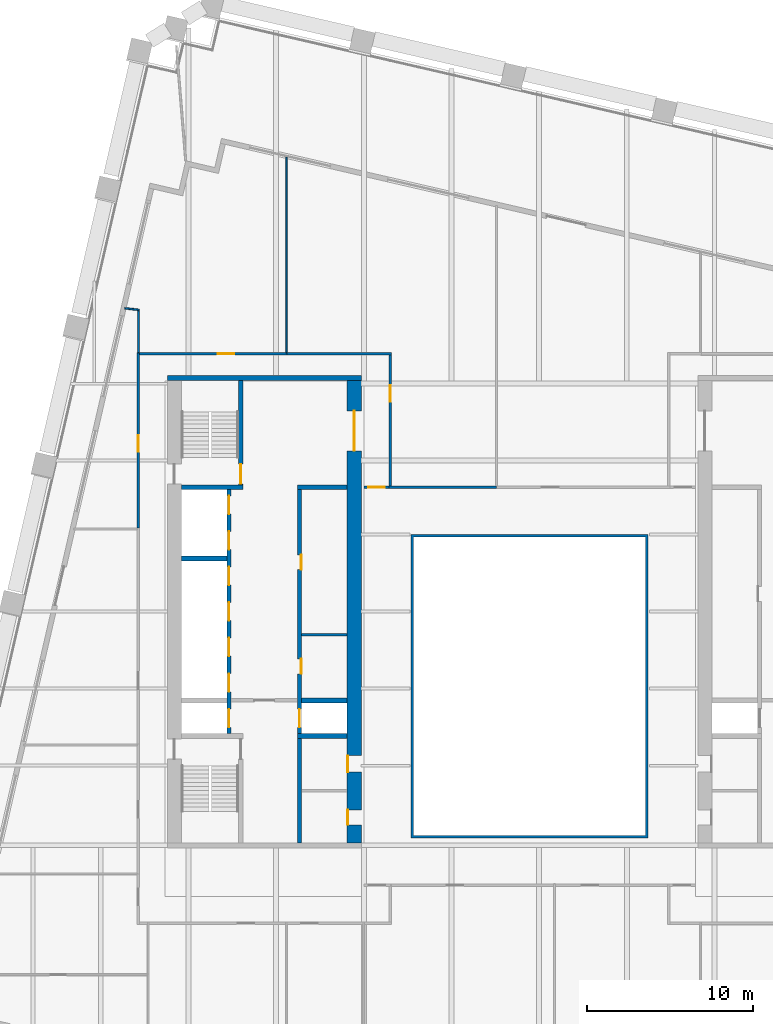
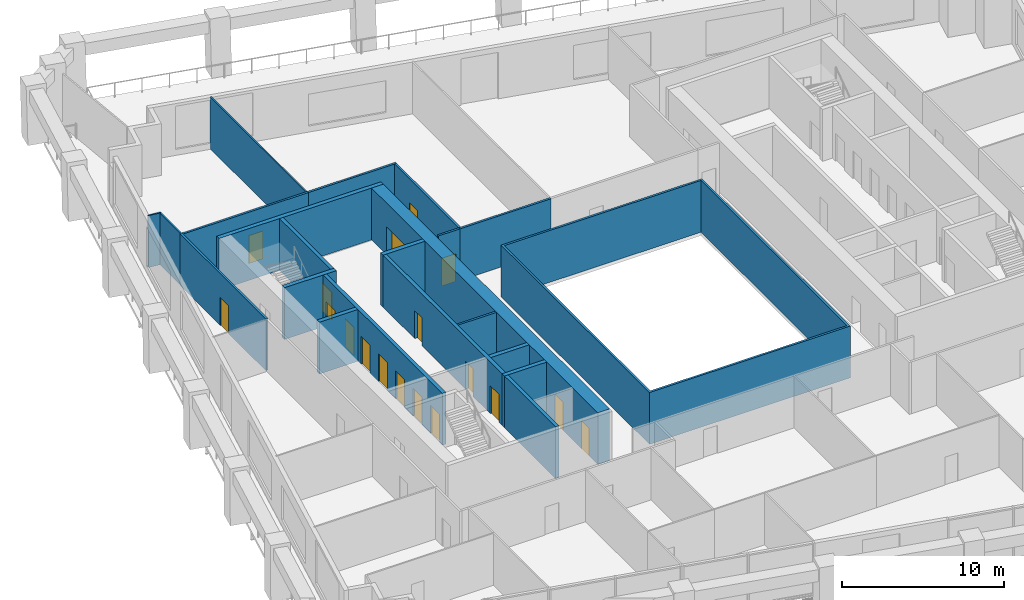
# One storey, part 8 of 12: 21 walls, 18 doors, 18 openings.
"""IFC4 building model written with IfcOpenShell, lengths in metres."""

from ifc_helpers import new_model, si_unit, direction, frame, frame_2d, origin, place, context, subcontext, project, spatial, polyline, rectangle, outline, extrude, material, layer, layer_set, type_object, element, fill, save


model = new_model("IFC4")

# Units and contexts
model_context = context("Model", 3, precision=1e-05, world=origin(), true_north=direction((0.0, 1.0)))
body_context = subcontext(model_context, "Body", "Model", "MODEL_VIEW")
ifc_project = project(units=[si_unit("LENGTHUNIT", "METRE"), si_unit("AREAUNIT", "SQUARE_METRE"), si_unit("VOLUMEUNIT", "CUBIC_METRE"), si_unit("PLANEANGLEUNIT", "RADIAN"), si_unit("MASSUNIT", "GRAM", prefix="KILO")], contexts=[model_context])

# Site, building, storey
site_placement = place(None, origin())
site = spatial("IfcSite", under=ifc_project, at=site_placement, CompositionType="ELEMENT")
building_placement = place(site_placement, origin())
building = spatial("IfcBuilding", under=site, at=building_placement, Name="Ogive Exchange Tower", CompositionType="ELEMENT")
storey_placement = place(building_placement, frame((0.0, 0.0, 156.0)))
storey = spatial("IfcBuildingStorey", under=building, at=storey_placement, Name="L34", CompositionType="ELEMENT", Elevation=156.0)

# Walls
ifc_material_1 = material(Name="Gypsum board partition")
ifc_layer_1 = layer(ifc_material_1, 0.14990234375)
ifc_layer_set_1 = layer_set([ifc_layer_1], Name="Core room partition 150 gypsum")
wall_type_1 = type_object("IfcWallType", Name="Core room partition 150 gypsum", PredefinedType="PARTITIONING", material=ifc_layer_set_1)
wall_1_placement = place(storey_placement, frame((-13.75, 10.10009765625, 0.0), z_axis=(0.0, 0.0, 1.0), x_axis=(1.0, 0.0, 0.0)))
element("IfcWall", 1, at=wall_1_placement, inside=storey, type_object=wall_type_1, Name="W row B bay partition 1-1", PredefinedType="PARTITIONING", context=body_context, shape_type="SweptSolid", body=[
    extrude(rectangle(XDim=2.75, YDim=0.14990234375, at=frame_2d((1.375, 0.0))), origin(), (0.0, 0.0, 1.0), 3.89990234375),
])
ifc_layer_2 = layer(ifc_material_1, 0.300048828125)
ifc_layer_set_2 = layer_set([ifc_layer_2], Name="Core room partition 300 gypsum")
wall_type_2 = type_object("IfcWallType", Name="Core room partition 300 gypsum", PredefinedType="PARTITIONING", material=ifc_layer_set_2)
wall_2_placement = place(storey_placement, frame((-14.0, 19.0, 0.0), z_axis=(0.0, 0.0, 1.0), x_axis=(1.0, 0.0, 0.0)))
element("IfcWall", 2, at=wall_2_placement, inside=storey, type_object=wall_type_2, Name="W row B room end wall 7", PredefinedType="PARTITIONING", context=body_context, shape_type="SweptSolid", body=[
    extrude(rectangle(XDim=3.0, YDim=0.300048828125, at=frame_2d((1.5, 0.0))), origin(), (0.0, 0.0, 1.0), 3.89990234375),
])

# Wall, opening, door
ifc_material_2 = material(Name="Fire partition EI 60 150")
ifc_layer_3 = layer(ifc_material_2, 0.14990234375)
ifc_layer_set_3 = layer_set([ifc_layer_3], Name="Fire partition EI 60 150")
wall_type_3 = type_object("IfcWallType", Name="Fire partition EI 60 150", PredefinedType="PARTITIONING", material=ifc_layer_set_3)
wall_3_placement = place(storey_placement, frame((-23.60009765625, 16.530029296875, 0.0), z_axis=(0.0, 0.0, 1.0), x_axis=(0.0, 1.0, 0.0)))
wall_3 = element("IfcWall", 3, at=wall_3_placement, inside=storey, type_object=wall_type_3, Name="L34-PWL-009", PredefinedType="PARTITIONING", context=body_context, shape_type="SweptSolid", body=[
    extrude(rectangle(XDim=10.594970703125, YDim=0.14990234375, at=frame_2d((5.29736328125, 0.0))), origin(), (0.0, 0.0, 1.0), 3.89990234375),
])
opening_1_placement = place(wall_3_placement, frame((4.6201171875, 0.0, 0.0)))
opening_1 = element("IfcOpeningElement", 4, at=opening_1_placement, cuts=wall_3, Name="Opening L34-I16", PredefinedType="OPENING", context=body_context, shape_type="SweptSolid", body=[
    extrude(rectangle(XDim=1.0, YDim=2.10009765625, at=frame_2d((0.5, 1.050048828125))), frame((0.0, 0.0849609375, 0.0), z_axis=(0.0, -1.0, 0.0), x_axis=(1.0, 0.0, 0.0)), (0.0, 0.0, 1.0), 0.169921875),
])
ifc_material_3 = material(Name="Fire door FD 30S 1000 x 2100")
door_type_1 = type_object("IfcDoorType", Name="Fire door FD 30S 1000 x 2100", OperationType="NOTDEFINED", PredefinedType="DOOR", material=ifc_material_3)
door_1_placement = place(opening_1_placement, origin())
door_1 = element("IfcDoor", 5, at=door_1_placement, inside=storey, type_object=door_type_1, Name="L34-IDR-016", ObjectType="DT3", OperationType="SINGLE_SWING_LEFT", OverallHeight=2.10009765625, OverallWidth=1.0, PredefinedType="DOOR", context=body_context, shape_type="SweptSolid", body=[
    extrude(rectangle(XDim=1.0, YDim=2.10009765625, at=frame_2d((0.5, 1.050048828125))), frame((0.0, 0.02490234375, 0.0), z_axis=(0.0, -1.0, 0.0), x_axis=(1.0, 0.0, 0.0)), (0.0, 0.0, 1.0), 0.050048828125),
])
fill(opening_1, door_1)

wall_4_placement = place(storey_placement, frame((-23.514892578125, 27.050048828125, 0.0), z_axis=(0.0, 0.0, 1.0), x_axis=(1.0, 0.0, 0.0)))
wall_4 = element("IfcWall", 6, at=wall_4_placement, inside=storey, type_object=wall_type_3, Name="L34-PWL-011", PredefinedType="PARTITIONING", context=body_context, shape_type="SweptSolid", body=[
    extrude(rectangle(XDim=8.894775390625, YDim=0.14990234375, at=frame_2d((4.447265625, 0.0))), origin(), (0.0, 0.0, 1.0), 3.89990234375),
])
opening_2_placement = place(wall_4_placement, frame((4.695068359375, 0.0, 0.0)))
opening_2 = element("IfcOpeningElement", 7, at=opening_2_placement, cuts=wall_4, Name="Opening L34-I15", PredefinedType="OPENING", context=body_context, shape_type="SweptSolid", body=[
    extrude(rectangle(XDim=1.0, YDim=2.10009765625, at=frame_2d((0.5, 1.050048828125))), frame((0.0, 0.0849609375, 0.0), z_axis=(0.0, -1.0, 0.0), x_axis=(1.0, 0.0, 0.0)), (0.0, 0.0, 1.0), 0.169921875),
])
door_2_placement = place(opening_2_placement, origin())
door_2 = element("IfcDoor", 8, at=door_2_placement, inside=storey, type_object=door_type_1, Name="L34-IDR-015", ObjectType="DT3", OperationType="SINGLE_SWING_LEFT", OverallHeight=2.10009765625, OverallWidth=1.0, PredefinedType="DOOR", context=body_context, shape_type="SweptSolid", body=[
    extrude(rectangle(XDim=1.0, YDim=2.10009765625, at=frame_2d((0.5, 1.050048828125))), frame((0.0, 0.02490234375, 0.0), z_axis=(0.0, -1.0, 0.0), x_axis=(1.0, 0.0, 0.0)), (0.0, 0.0, 1.0), 0.050048828125),
])
fill(opening_2, door_2)

# Walls
wall_5_placement = place(storey_placement, frame((-14.6201171875, 27.050048828125, 0.0), z_axis=(0.0, 0.0, 1.0), x_axis=(1.0, 0.0, 0.0)))
element("IfcWall", 9, at=wall_5_placement, inside=storey, type_object=wall_type_3, Name="L34-PWL-021", PredefinedType="PARTITIONING", context=body_context, shape_type="SweptSolid", body=[
    extrude(rectangle(XDim=6.295166015625, YDim=0.14990234375, at=frame_2d((3.1474609375, 0.0))), origin(), (0.0, 0.0, 1.0), 3.89990234375),
])
wall_6_placement = place(storey_placement, frame((-8.47509765625, 19.0, 0.0), z_axis=(0.0, 0.0, 1.0), x_axis=(1.0, 0.0, 0.0)))
element("IfcWall", 10, at=wall_6_placement, inside=storey, type_object=wall_type_3, Name="L34-PWL-027", PredefinedType="PARTITIONING", context=body_context, shape_type="SweptSolid", body=[
    extrude(rectangle(XDim=6.485107421875, YDim=0.14990234375, at=frame_2d((3.24267578125, 0.0))), origin(), (0.0, 0.0, 1.0), 3.89990234375),
])

# Wall, opening, door
wall_7_placement = place(storey_placement, frame((-8.39990234375, 26.97509765625, 0.0), z_axis=(0.0, 0.0, 1.0), x_axis=(0.0, -1.0, 0.0)))
wall_7 = element("IfcWall", 11, at=wall_7_placement, inside=storey, type_object=wall_type_3, Name="L34-PWL-028", PredefinedType="PARTITIONING", context=body_context, shape_type="SweptSolid", body=[
    extrude(rectangle(XDim=7.900146484375, YDim=0.14990234375, at=frame_2d((3.9501953125, 0.0))), origin(), (0.0, 0.0, 1.0), 3.89990234375),
])
opening_3_placement = place(wall_7_placement, frame((1.824951171875, 0.0, 0.0)))
opening_3 = element("IfcOpeningElement", 12, at=opening_3_placement, cuts=wall_7, Name="Opening L34-I13", PredefinedType="OPENING", context=body_context, shape_type="SweptSolid", body=[
    extrude(rectangle(XDim=1.0, YDim=2.10009765625, at=frame_2d((0.5, 1.050048828125))), frame((0.0, 0.0849609375, 0.0), z_axis=(0.0, -1.0, 0.0), x_axis=(1.0, 0.0, 0.0)), (0.0, 0.0, 1.0), 0.169921875),
])
door_3_placement = place(opening_3_placement, origin())
door_3 = element("IfcDoor", 13, at=door_3_placement, inside=storey, type_object=door_type_1, Name="L34-IDR-013", ObjectType="DT3", OperationType="SINGLE_SWING_RIGHT", OverallHeight=2.10009765625, OverallWidth=1.0, PredefinedType="DOOR", context=body_context, shape_type="SweptSolid", body=[
    extrude(rectangle(XDim=1.0, YDim=2.10009765625, at=frame_2d((0.5, 1.050048828125))), frame((0.0, 0.02490234375, 0.0), z_axis=(0.0, -1.0, 0.0), x_axis=(1.0, 0.0, 0.0)), (0.0, 0.0, 1.0), 0.050048828125),
])
fill(opening_3, door_3)

wall_8_placement = place(storey_placement, frame((-10.0, 19.0, 0.0), z_axis=(0.0, 0.0, 1.0), x_axis=(1.0, 0.0, 0.0)))
wall_8 = element("IfcWall", 14, at=wall_8_placement, inside=storey, type_object=wall_type_3, Name="L34-PWL-059", PredefinedType="PARTITIONING", context=body_context, shape_type="SweptSolid", body=[
    extrude(rectangle(XDim=1.514892578125, YDim=0.14990234375, at=frame_2d((0.75732421875, 0.0))), origin(), (0.0, 0.0, 1.0), 3.89990234375),
])
opening_4_placement = place(wall_8_placement, frame((0.258056640625, 0.0, 0.0)))
opening_4 = element("IfcOpeningElement", 15, at=opening_4_placement, cuts=wall_8, Name="Opening L34-I21", PredefinedType="OPENING", context=body_context, shape_type="SweptSolid", body=[
    extrude(rectangle(XDim=1.0, YDim=2.10009765625, at=frame_2d((0.5, 1.050048828125))), frame((0.0, 0.0849609375, 0.0), z_axis=(0.0, -1.0, 0.0), x_axis=(1.0, 0.0, 0.0)), (0.0, 0.0, 1.0), 0.169921875),
])
door_4_placement = place(opening_4_placement, origin())
door_4 = element("IfcDoor", 16, at=door_4_placement, inside=storey, type_object=door_type_1, Name="L34-IDR-021", ObjectType="DT3", OperationType="SINGLE_SWING_LEFT", OverallHeight=2.10009765625, OverallWidth=1.0, PredefinedType="DOOR", context=body_context, shape_type="SweptSolid", body=[
    extrude(rectangle(XDim=1.0, YDim=2.10009765625, at=frame_2d((0.5, 1.050048828125))), frame((0.0, 0.02490234375, 0.0), z_axis=(0.0, -1.0, 0.0), x_axis=(1.0, 0.0, 0.0)), (0.0, 0.0, 1.0), 0.050048828125),
])
fill(opening_4, door_4)

# Walls
ifc_material_4 = material(Name="Fire-resisting glass in steel frame", Category="steel")
ifc_layer_4 = layer(ifc_material_4, 0.14990234375)
ifc_layer_set_4 = layer_set([ifc_layer_4], Name="Fire-rated glazed wall 150")
wall_type_4 = type_object("IfcWallType", Name="Fire-rated glazed wall 150", PredefinedType="STANDARD", material=ifc_layer_set_4)
wall_9_placement = place(storey_placement, origin())
element("IfcWall", 17, at=wall_9_placement, inside=storey, type_object=wall_type_4, Name="Nave enclosure wall", PredefinedType="STANDARD", context=body_context, shape_type="SweptSolid", body=[
    extrude(outline(polyline([(-7.14990234375, -2.14990234375), (7.14990234375, -2.14990234375), (7.14990234375, 16.14990234375), (-7.14990234375, 16.14990234375), (-7.14990234375, -2.14990234375)]), holes=[polyline([(-7.0, -2.0), (-7.0, 16.0), (7.0, 16.0), (7.0, -2.0), (-7.0, -2.0)])]), origin(), (0.0, 0.0, 1.0), 3.89990234375),
])
ifc_material_5 = material(Name="Partition 100 gypsum")
ifc_layer_5 = layer(ifc_material_5, 0.10009765625)
ifc_layer_set_5 = layer_set([ifc_layer_5], Name="Partition 100 gypsum")
wall_type_5 = type_object("IfcWallType", Name="Partition 100 gypsum", PredefinedType="PARTITIONING", material=ifc_layer_set_5)
wall_10_placement = place(storey_placement, frame((-24.416015625, 29.794921875, 0.0), z_axis=(0.0, 0.0, 1.0), x_axis=(0.993440426076, -0.114350862868, 0.0)))
element("IfcWall", 18, at=wall_10_placement, inside=storey, type_object=wall_type_5, Name="L34-PWL-002", PredefinedType="PARTITIONING", context=body_context, shape_type="SweptSolid", body=[
    extrude(rectangle(XDim=0.8818359375, YDim=0.10009765625, at=frame_2d((0.44091796875, 0.0))), origin(), (0.0, 0.0, 1.0), 3.89990234375),
])
wall_11_placement = place(storey_placement, frame((-23.590087890625, 27.125, 0.0), z_axis=(0.0, 0.0, 1.0), x_axis=(0.0, 1.0, 0.0)))
element("IfcWall", 19, at=wall_11_placement, inside=storey, type_object=wall_type_5, Name="L34-PWL-010", PredefinedType="PARTITIONING", context=body_context, shape_type="SweptSolid", body=[
    extrude(rectangle(XDim=2.52490234375, YDim=0.10009765625, at=frame_2d((1.262451171875, 0.0))), origin(), (0.0, 0.0, 1.0), 3.89990234375),
])
wall_12_placement = place(storey_placement, frame((-14.669921875, 27.125, 0.0), z_axis=(0.0, 0.0, 1.0), x_axis=(0.0, 1.0, 0.0)))
element("IfcWall", 20, at=wall_12_placement, inside=storey, type_object=wall_type_5, Name="L34-PWL-020", PredefinedType="PARTITIONING", context=body_context, shape_type="SweptSolid", body=[
    extrude(rectangle(XDim=11.785888671875, YDim=0.10009765625, at=frame_2d((5.89306640625, 0.0))), origin(), (0.0, 0.0, 1.0), 3.89990234375),
])

# Wall, opening, door
ifc_material_6 = material(Name="Concrete C70/85", Category="concrete")
ifc_layer_6 = layer(ifc_material_6, 0.25)
ifc_layer_set_6 = layer_set([ifc_layer_6], Name="RC core wall 250 C70/85")
wall_type_6 = type_object("IfcWallType", Name="RC core wall 250 C70/85", PredefinedType="SHEAR", material=ifc_layer_set_6)
wall_13_placement = place(storey_placement, frame((-17.425048828125, 19.14990234375, 0.0), z_axis=(0.0, 0.0, 1.0), x_axis=(0.0, 1.0, 0.0)))
wall_13 = element("IfcWall", 21, at=wall_13_placement, inside=storey, type_object=wall_type_6, Name="W stair N front wall", PredefinedType="SHEAR", context=body_context, shape_type="SweptSolid", body=[
    extrude(rectangle(XDim=6.300048828125, YDim=0.25, at=frame_2d((3.14990234375, 0.0))), origin(), (0.0, 0.0, 1.0), 3.89990234375),
])
opening_5_placement = place(wall_13_placement, frame((0.050048828125, 0.0, 0.0)))
opening_5 = element("IfcOpeningElement", 22, at=opening_5_placement, cuts=wall_13, Name="Opening L34-C15", PredefinedType="OPENING", context=body_context, shape_type="SweptSolid", body=[
    extrude(rectangle(XDim=1.199951171875, YDim=2.10009765625, at=frame_2d((0.60009765625, 1.050048828125))), frame((0.0, 0.135009765625, 0.0), z_axis=(0.0, -1.0, 0.0), x_axis=(1.0, 0.0, 0.0)), (0.0, 0.0, 1.0), 0.27001953125),
])
ifc_material_7 = material(Name="Steel fire door", Category="steel")
door_type_2 = type_object("IfcDoorType", Name="Stair door FD90 1200 x 2100", OperationType="NOTDEFINED", PredefinedType="DOOR", material=ifc_material_7)
door_5_placement = place(opening_5_placement, origin())
door_5 = element("IfcDoor", 23, at=door_5_placement, inside=storey, type_object=door_type_2, Name="Stair door", ObjectType="CD5", OperationType="SINGLE_SWING_RIGHT", OverallHeight=2.10009765625, OverallWidth=1.199951171875, PredefinedType="DOOR", context=body_context, shape_type="SweptSolid", body=[
    extrude(rectangle(XDim=1.199951171875, YDim=2.10009765625, at=frame_2d((0.60009765625, 1.050048828125))), frame((0.0, 0.02490234375, 0.0), z_axis=(0.0, -1.0, 0.0), x_axis=(1.0, 0.0, 0.0)), (0.0, 0.0, 1.0), 0.050048828125),
])
fill(opening_5, door_5)

# Wall, openings, doors
wall_14_placement = place(storey_placement, frame((-18.125, 4.14990234375, 0.0), z_axis=(0.0, 0.0, 1.0), x_axis=(0.0, 1.0, 0.0)))
wall_14 = element("IfcWall", 24, at=wall_14_placement, inside=storey, type_object=wall_type_6, Name="W row A front wall", PredefinedType="SHEAR", context=body_context, shape_type="SweptSolid", body=[
    extrude(rectangle(XDim=14.7001953125, YDim=0.25, at=frame_2d((7.35009765625, 0.0))), origin(), (0.0, 0.0, 1.0), 3.89990234375),
])
opening_6_placement = place(wall_14_placement, frame((0.371337890625, 0.0, 0.0)))
opening_6 = element("IfcOpeningElement", 25, at=opening_6_placement, cuts=wall_14, Name="Opening L34-C01", PredefinedType="OPENING", context=body_context, shape_type="SweptSolid", body=[
    extrude(rectangle(XDim=1.10009765625, YDim=2.10009765625, at=frame_2d((0.550048828125, 1.050048828125))), frame((0.0, 0.135009765625, 0.0), z_axis=(0.0, -1.0, 0.0), x_axis=(1.0, 0.0, 0.0)), (0.0, 0.0, 1.0), 0.27001953125),
])
opening_7_placement = place(wall_14_placement, frame((2.514404296875, 0.0, 0.0)))
opening_7 = element("IfcOpeningElement", 26, at=opening_7_placement, cuts=wall_14, Name="Opening L34-C02", PredefinedType="OPENING", context=body_context, shape_type="SweptSolid", body=[
    extrude(rectangle(XDim=1.10009765625, YDim=2.10009765625, at=frame_2d((0.550048828125, 1.050048828125))), frame((0.0, 0.135009765625, 0.0), z_axis=(0.0, -1.0, 0.0), x_axis=(1.0, 0.0, 0.0)), (0.0, 0.0, 1.0), 0.27001953125),
])
opening_8_placement = place(wall_14_placement, frame((4.656982421875, 0.0, 0.0)))
opening_8 = element("IfcOpeningElement", 27, at=opening_8_placement, cuts=wall_14, Name="Opening L34-C03", PredefinedType="OPENING", context=body_context, shape_type="SweptSolid", body=[
    extrude(rectangle(XDim=1.10009765625, YDim=2.10009765625, at=frame_2d((0.550048828125, 1.050048828125))), frame((0.0, 0.135009765625, 0.0), z_axis=(0.0, -1.0, 0.0), x_axis=(1.0, 0.0, 0.0)), (0.0, 0.0, 1.0), 0.27001953125),
])
opening_9_placement = place(wall_14_placement, frame((6.800048828125, 0.0, 0.0)))
opening_9 = element("IfcOpeningElement", 28, at=opening_9_placement, cuts=wall_14, Name="Opening L34-C04", PredefinedType="OPENING", context=body_context, shape_type="SweptSolid", body=[
    extrude(rectangle(XDim=1.10009765625, YDim=2.10009765625, at=frame_2d((0.550048828125, 1.050048828125))), frame((0.0, 0.135009765625, 0.0), z_axis=(0.0, -1.0, 0.0), x_axis=(1.0, 0.0, 0.0)), (0.0, 0.0, 1.0), 0.27001953125),
])
opening_10_placement = place(wall_14_placement, frame((8.94287109375, 0.0, 0.0)))
opening_10 = element("IfcOpeningElement", 29, at=opening_10_placement, cuts=wall_14, Name="Opening L34-C05", PredefinedType="OPENING", context=body_context, shape_type="SweptSolid", body=[
    extrude(rectangle(XDim=1.10009765625, YDim=2.10009765625, at=frame_2d((0.550048828125, 1.050048828125))), frame((0.0, 0.135009765625, 0.0), z_axis=(0.0, -1.0, 0.0), x_axis=(1.0, 0.0, 0.0)), (0.0, 0.0, 1.0), 0.27001953125),
])
opening_11_placement = place(wall_14_placement, frame((11.085693359375, 0.0, 0.0)))
opening_11 = element("IfcOpeningElement", 30, at=opening_11_placement, cuts=wall_14, Name="Opening L34-C06", PredefinedType="OPENING", context=body_context, shape_type="SweptSolid", body=[
    extrude(rectangle(XDim=1.10009765625, YDim=2.10009765625, at=frame_2d((0.550048828125, 1.050048828125))), frame((0.0, 0.135009765625, 0.0), z_axis=(0.0, -1.0, 0.0), x_axis=(1.0, 0.0, 0.0)), (0.0, 0.0, 1.0), 0.27001953125),
])
opening_12_placement = place(wall_14_placement, frame((13.228515625, 0.0, 0.0)))
opening_12 = element("IfcOpeningElement", 31, at=opening_12_placement, cuts=wall_14, Name="Opening L34-C07", PredefinedType="OPENING", context=body_context, shape_type="SweptSolid", body=[
    extrude(rectangle(XDim=1.10009765625, YDim=2.10009765625, at=frame_2d((0.550048828125, 1.050048828125))), frame((0.0, 0.135009765625, 0.0), z_axis=(0.0, -1.0, 0.0), x_axis=(1.0, 0.0, 0.0)), (0.0, 0.0, 1.0), 0.27001953125),
])
ifc_material_8 = material(Name="Stainless steel", Category="steel")
door_type_3 = type_object("IfcDoorType", Name="Lift landing door FD90 1100 x 2100", OperationType="SLIDING_TO_LEFT", PredefinedType="DOOR", material=ifc_material_8)
door_6_placement = place(opening_6_placement, origin())
door_6 = element("IfcDoor", 32, at=door_6_placement, inside=storey, type_object=door_type_3, Name="Lift landing door FF1", ObjectType="LD", OperationType="SLIDING_TO_LEFT", OverallHeight=2.10009765625, OverallWidth=1.10009765625, PredefinedType="DOOR", context=body_context, shape_type="SweptSolid", body=[
    extrude(rectangle(XDim=1.10009765625, YDim=2.10009765625, at=frame_2d((0.550048828125, 1.050048828125))), frame((0.0, 0.02490234375, 0.0), z_axis=(0.0, -1.0, 0.0), x_axis=(1.0, 0.0, 0.0)), (0.0, 0.0, 1.0), 0.050048828125),
])
fill(opening_6, door_6)
door_7_placement = place(opening_7_placement, origin())
door_7 = element("IfcDoor", 33, at=door_7_placement, inside=storey, type_object=door_type_3, Name="Lift landing door W-L1", ObjectType="LD", OperationType="SLIDING_TO_LEFT", OverallHeight=2.10009765625, OverallWidth=1.10009765625, PredefinedType="DOOR", context=body_context, shape_type="SweptSolid", body=[
    extrude(rectangle(XDim=1.10009765625, YDim=2.10009765625, at=frame_2d((0.550048828125, 1.050048828125))), frame((0.0, 0.02490234375, 0.0), z_axis=(0.0, -1.0, 0.0), x_axis=(1.0, 0.0, 0.0)), (0.0, 0.0, 1.0), 0.050048828125),
])
fill(opening_7, door_7)
door_8_placement = place(opening_8_placement, origin())
door_8 = element("IfcDoor", 34, at=door_8_placement, inside=storey, type_object=door_type_3, Name="Lift landing door W-L2", ObjectType="LD", OperationType="SLIDING_TO_LEFT", OverallHeight=2.10009765625, OverallWidth=1.10009765625, PredefinedType="DOOR", context=body_context, shape_type="SweptSolid", body=[
    extrude(rectangle(XDim=1.10009765625, YDim=2.10009765625, at=frame_2d((0.550048828125, 1.050048828125))), frame((0.0, 0.02490234375, 0.0), z_axis=(0.0, -1.0, 0.0), x_axis=(1.0, 0.0, 0.0)), (0.0, 0.0, 1.0), 0.050048828125),
])
fill(opening_8, door_8)
door_9_placement = place(opening_9_placement, origin())
door_9 = element("IfcDoor", 35, at=door_9_placement, inside=storey, type_object=door_type_3, Name="Lift landing door W-L3", ObjectType="LD", OperationType="SLIDING_TO_LEFT", OverallHeight=2.10009765625, OverallWidth=1.10009765625, PredefinedType="DOOR", context=body_context, shape_type="SweptSolid", body=[
    extrude(rectangle(XDim=1.10009765625, YDim=2.10009765625, at=frame_2d((0.550048828125, 1.050048828125))), frame((0.0, 0.02490234375, 0.0), z_axis=(0.0, -1.0, 0.0), x_axis=(1.0, 0.0, 0.0)), (0.0, 0.0, 1.0), 0.050048828125),
])
fill(opening_9, door_9)
door_10_placement = place(opening_10_placement, origin())
door_10 = element("IfcDoor", 36, at=door_10_placement, inside=storey, type_object=door_type_3, Name="Lift landing door W-L4", ObjectType="LD", OperationType="SLIDING_TO_LEFT", OverallHeight=2.10009765625, OverallWidth=1.10009765625, PredefinedType="DOOR", context=body_context, shape_type="SweptSolid", body=[
    extrude(rectangle(XDim=1.10009765625, YDim=2.10009765625, at=frame_2d((0.550048828125, 1.050048828125))), frame((0.0, 0.02490234375, 0.0), z_axis=(0.0, -1.0, 0.0), x_axis=(1.0, 0.0, 0.0)), (0.0, 0.0, 1.0), 0.050048828125),
])
fill(opening_10, door_10)
door_11_placement = place(opening_11_placement, origin())
door_11 = element("IfcDoor", 37, at=door_11_placement, inside=storey, type_object=door_type_3, Name="Lift landing door W-SH1", ObjectType="LD", OperationType="SLIDING_TO_LEFT", OverallHeight=2.10009765625, OverallWidth=1.10009765625, PredefinedType="DOOR", context=body_context, shape_type="SweptSolid", body=[
    extrude(rectangle(XDim=1.10009765625, YDim=2.10009765625, at=frame_2d((0.550048828125, 1.050048828125))), frame((0.0, 0.02490234375, 0.0), z_axis=(0.0, -1.0, 0.0), x_axis=(1.0, 0.0, 0.0)), (0.0, 0.0, 1.0), 0.050048828125),
])
fill(opening_11, door_11)
door_12_placement = place(opening_12_placement, origin())
door_12 = element("IfcDoor", 38, at=door_12_placement, inside=storey, type_object=door_type_3, Name="Lift landing door W-SH2", ObjectType="LD", OperationType="SLIDING_TO_LEFT", OverallHeight=2.10009765625, OverallWidth=1.10009765625, PredefinedType="DOOR", context=body_context, shape_type="SweptSolid", body=[
    extrude(rectangle(XDim=1.10009765625, YDim=2.10009765625, at=frame_2d((0.550048828125, 1.050048828125))), frame((0.0, 0.02490234375, 0.0), z_axis=(0.0, -1.0, 0.0), x_axis=(1.0, 0.0, 0.0)), (0.0, 0.0, 1.0), 0.050048828125),
])
fill(opening_12, door_12)

wall_15_placement = place(storey_placement, frame((-13.875, -2.449951171875, 0.0), z_axis=(0.0, 0.0, 1.0), x_axis=(0.0, 1.0, 0.0)))
wall_15 = element("IfcWall", 39, at=wall_15_placement, inside=storey, type_object=wall_type_6, Name="W row B front wall", PredefinedType="SHEAR", context=body_context, shape_type="SweptSolid", body=[
    extrude(rectangle(XDim=21.300048828125, YDim=0.25, at=frame_2d((10.64990234375, 0.0))), origin(), (0.0, 0.0, 1.0), 3.89990234375),
])
opening_13_placement = place(wall_15_placement, frame((10.1962890625, 0.0, 0.0)))
opening_13 = element("IfcOpeningElement", 40, at=opening_13_placement, cuts=wall_15, Name="Opening L34-C08", PredefinedType="OPENING", context=body_context, shape_type="SweptSolid", body=[
    extrude(rectangle(XDim=0.89990234375, YDim=2.10009765625, at=frame_2d((0.449951171875, 1.050048828125))), frame((0.0, 0.135009765625, 0.0), z_axis=(0.0, -1.0, 0.0), x_axis=(1.0, 0.0, 0.0)), (0.0, 0.0, 1.0), 0.27001953125),
])
opening_14_placement = place(wall_15_placement, frame((16.47509765625, 0.0, 0.0)))
opening_14 = element("IfcOpeningElement", 41, at=opening_14_placement, cuts=wall_15, Name="Opening L34-C09", PredefinedType="OPENING", context=body_context, shape_type="SweptSolid", body=[
    extrude(rectangle(XDim=0.89990234375, YDim=2.10009765625, at=frame_2d((0.449951171875, 1.050048828125))), frame((0.0, 0.135009765625, 0.0), z_axis=(0.0, -1.0, 0.0), x_axis=(1.0, 0.0, 0.0)), (0.0, 0.0, 1.0), 0.27001953125),
])
opening_15_placement = place(wall_15_placement, frame((6.971435546875, 0.0, 0.0)))
opening_15 = element("IfcOpeningElement", 42, at=opening_15_placement, cuts=wall_15, Name="Opening L34-C10", PredefinedType="OPENING", context=body_context, shape_type="SweptSolid", body=[
    extrude(rectangle(XDim=1.10009765625, YDim=2.10009765625, at=frame_2d((0.550048828125, 1.050048828125))), frame((0.0, 0.135009765625, 0.0), z_axis=(0.0, -1.0, 0.0), x_axis=(1.0, 0.0, 0.0)), (0.0, 0.0, 1.0), 0.27001953125),
])
ifc_material_9 = material(Name="Timber fire door", Category="wood")
door_type_4 = type_object("IfcDoorType", Name="Core room door FD30S 900 x 2100", OperationType="NOTDEFINED", PredefinedType="DOOR", material=ifc_material_9)
door_13_placement = place(opening_14_placement, frame((0.89990234375, -0.2001953125, 0.0), z_axis=(0.0, 0.0, 1.0), x_axis=(-1.0, 0.0, 0.0)))
door_13 = element("IfcDoor", 43, at=door_13_placement, inside=storey, type_object=door_type_4, Name="Core room door", ObjectType="CD6", OperationType="SINGLE_SWING_RIGHT", OverallHeight=2.10009765625, OverallWidth=0.89990234375, PredefinedType="DOOR", context=body_context, shape_type="SweptSolid", body=[
    extrude(rectangle(XDim=0.89990234375, YDim=2.10009765625, at=frame_2d((0.449951171875, 1.050048828125))), frame((0.0, -0.0751953125, 0.0), z_axis=(0.0, -1.0, 0.0), x_axis=(1.0, 0.0, 0.0)), (0.0, 0.0, 1.0), 0.050048828125),
])
fill(opening_14, door_13)
door_14_placement = place(opening_15_placement, origin())
door_14 = element("IfcDoor", 44, at=door_14_placement, inside=storey, type_object=door_type_3, Name="Lift landing door SV1", ObjectType="LD", OperationType="SLIDING_TO_LEFT", OverallHeight=2.10009765625, OverallWidth=1.10009765625, PredefinedType="DOOR", context=body_context, shape_type="SweptSolid", body=[
    extrude(rectangle(XDim=1.10009765625, YDim=2.10009765625, at=frame_2d((0.550048828125, 1.050048828125))), frame((0.0, 0.02490234375, 0.0), z_axis=(0.0, -1.0, 0.0), x_axis=(1.0, 0.0, 0.0)), (0.0, 0.0, 1.0), 0.050048828125),
])
fill(opening_15, door_14)
door_type_5 = type_object("IfcDoorType", Name="Riser door FD60 900 x 2100", OperationType="NOTDEFINED", PredefinedType="DOOR", material=ifc_material_7)
door_15_placement = place(opening_13_placement, frame((0.89990234375, -0.2001953125, 0.0), z_axis=(0.0, 0.0, 1.0), x_axis=(-1.0, 0.0, 0.0)))
door_15 = element("IfcDoor", 45, at=door_15_placement, inside=storey, type_object=door_type_5, Name="Riser door", ObjectType="CD2", OperationType="SINGLE_SWING_RIGHT", OverallHeight=2.10009765625, OverallWidth=0.89990234375, PredefinedType="DOOR", context=body_context, shape_type="SweptSolid", body=[
    extrude(rectangle(XDim=0.89990234375, YDim=2.10009765625, at=frame_2d((0.449951171875, 1.050048828125))), frame((0.0, -0.0751953125, 0.0), z_axis=(0.0, -1.0, 0.0), x_axis=(1.0, 0.0, 0.0)), (0.0, 0.0, 1.0), 0.050048828125),
])
fill(opening_13, door_15)

# Walls
ifc_layer_7 = layer(ifc_material_6, 0.300048828125)
ifc_layer_set_7 = layer_set([ifc_layer_7], Name="RC core wall 300 C70/85")
wall_type_7 = type_object("IfcWallType", Name="RC core wall 300 C70/85", PredefinedType="SHEAR", material=ifc_layer_set_7)
wall_16_placement = place(storey_placement, frame((-21.85009765625, 25.60009765625, 0.0), z_axis=(0.0, 0.0, 1.0), x_axis=(1.0, 0.0, 0.0)))
element("IfcWall", 46, at=wall_16_placement, inside=storey, type_object=wall_type_7, Name="W north end wall", PredefinedType="SHEAR", context=body_context, shape_type="SweptSolid", body=[
    extrude(rectangle(XDim=11.7001953125, YDim=0.300048828125, at=frame_2d((5.85009765625, 0.0))), origin(), (0.0, 0.0, 1.0), 3.89990234375),
])
wall_17_placement = place(storey_placement, frame((-21.0, 19.0, 0.0), z_axis=(0.0, 0.0, 1.0), x_axis=(1.0, 0.0, 0.0)))
element("IfcWall", 47, at=wall_17_placement, inside=storey, type_object=wall_type_7, Name="W stair N south wall", PredefinedType="SHEAR", context=body_context, shape_type="SweptSolid", body=[
    extrude(rectangle(XDim=3.699951171875, YDim=0.300048828125, at=frame_2d((1.85009765625, 0.0))), origin(), (0.0, 0.0, 1.0), 3.89990234375),
])
wall_18_placement = place(storey_placement, frame((-21.0, 14.71435546875, 0.0), z_axis=(0.0, 0.0, 1.0), x_axis=(1.0, 0.0, 0.0)))
element("IfcWall", 48, at=wall_18_placement, inside=storey, type_object=wall_type_7, Name="W row A divider 5", PredefinedType="SHEAR", context=body_context, shape_type="SweptSolid", body=[
    extrude(rectangle(XDim=2.75, YDim=0.300048828125, at=frame_2d((1.375, 0.0))), origin(), (0.0, 0.0, 1.0), 3.89990234375),
])
wall_19_placement = place(storey_placement, frame((-14.0, 4.0, 0.0), z_axis=(0.0, 0.0, 1.0), x_axis=(1.0, 0.0, 0.0)))
element("IfcWall", 49, at=wall_19_placement, inside=storey, type_object=wall_type_7, Name="W row B divider 0", PredefinedType="SHEAR", context=body_context, shape_type="SweptSolid", body=[
    extrude(rectangle(XDim=3.0, YDim=0.300048828125, at=frame_2d((1.5, 0.0))), origin(), (0.0, 0.0, 1.0), 3.89990234375),
])
wall_20_placement = place(storey_placement, frame((-13.75, 6.142822265625, 0.0), z_axis=(0.0, 0.0, 1.0), x_axis=(1.0, 0.0, 0.0)))
element("IfcWall", 50, at=wall_20_placement, inside=storey, type_object=wall_type_7, Name="W row B divider 1", PredefinedType="SHEAR", context=body_context, shape_type="SweptSolid", body=[
    extrude(rectangle(XDim=2.75, YDim=0.300048828125, at=frame_2d((1.375, 0.0))), origin(), (0.0, 0.0, 1.0), 3.89990234375),
])

# Wall, openings, doors
ifc_layer_8 = layer(ifc_material_6, 0.85009765625)
ifc_layer_set_8 = layer_set([ifc_layer_8], Name="RC core wall 850 C70/85")
wall_type_8 = type_object("IfcWallType", Name="RC core wall 850 C70/85", PredefinedType="SHEAR", material=ifc_layer_set_8)
wall_21_placement = place(storey_placement, frame((-10.574951171875, -2.449951171875, 0.0), z_axis=(0.0, 0.0, 1.0), x_axis=(0.0, 1.0, 0.0)))
wall_21 = element("IfcWall", 51, at=wall_21_placement, inside=storey, type_object=wall_type_8, Name="W inner wall", PredefinedType="SHEAR", context=body_context, shape_type="SweptSolid", body=[
    extrude(rectangle(XDim=27.89990234375, YDim=0.85009765625, at=frame_2d((13.949951171875, 0.0))), origin(), (0.0, 0.0, 1.0), 3.89990234375),
])
opening_16_placement = place(wall_21_placement, frame((23.64990234375, 0.0, 0.0)))
opening_16 = element("IfcOpeningElement", 52, at=opening_16_placement, cuts=wall_21, Name="Opening L34-C12", PredefinedType="OPENING", context=body_context, shape_type="SweptSolid", body=[
    extrude(rectangle(XDim=2.39990234375, YDim=2.10009765625, at=frame_2d((1.199951171875, 1.050048828125))), frame((0.0, 0.43505859375, 0.0), z_axis=(0.0, -1.0, 0.0), x_axis=(1.0, 0.0, 0.0)), (0.0, 0.0, 1.0), 0.8701171875),
])
opening_17_placement = place(wall_21_placement, frame((1.08740234375, 0.0, 0.0)))
opening_17 = element("IfcOpeningElement", 53, at=opening_17_placement, cuts=wall_21, Name="Opening L34-C17", PredefinedType="OPENING", context=body_context, shape_type="SweptSolid", body=[
    extrude(rectangle(XDim=0.89990234375, YDim=2.10009765625, at=frame_2d((0.449951171875, 1.050048828125))), frame((0.0, 0.43505859375, 0.0), z_axis=(0.0, -1.0, 0.0), x_axis=(1.0, 0.0, 0.0)), (0.0, 0.0, 1.0), 0.8701171875),
])
opening_18_placement = place(wall_21_placement, frame((4.262451171875, 0.0, 0.0)))
opening_18 = element("IfcOpeningElement", 54, at=opening_18_placement, cuts=wall_21, Name="Opening L34-C18", PredefinedType="OPENING", context=body_context, shape_type="SweptSolid", body=[
    extrude(rectangle(XDim=1.0, YDim=2.10009765625, at=frame_2d((0.5, 1.050048828125))), frame((0.0, 0.43505859375, 0.0), z_axis=(0.0, -1.0, 0.0), x_axis=(1.0, 0.0, 0.0)), (0.0, 0.0, 1.0), 0.8701171875),
])
door_type_6 = type_object("IfcDoorType", Name="Accessible WC door FD30S 1000 x 2100", OperationType="NOTDEFINED", PredefinedType="DOOR", material=ifc_material_9)
door_16_placement = place(opening_18_placement, origin())
door_16 = element("IfcDoor", 55, at=door_16_placement, inside=storey, type_object=door_type_6, Name="Accessible WC door", ObjectType="CD7", OperationType="SINGLE_SWING_RIGHT", OverallHeight=2.10009765625, OverallWidth=1.0, PredefinedType="DOOR", context=body_context, shape_type="SweptSolid", body=[
    extrude(rectangle(XDim=1.0, YDim=2.10009765625, at=frame_2d((0.5, 1.050048828125))), frame((0.0, 0.4248046875, 0.0), z_axis=(0.0, -1.0, 0.0), x_axis=(1.0, 0.0, 0.0)), (0.0, 0.0, 1.0), 0.050048828125),
])
fill(opening_18, door_16)
door_17_placement = place(opening_17_placement, origin())
door_17 = element("IfcDoor", 56, at=door_17_placement, inside=storey, type_object=door_type_4, Name="Core room door", ObjectType="CD6", OperationType="SINGLE_SWING_LEFT", OverallHeight=2.10009765625, OverallWidth=0.89990234375, PredefinedType="DOOR", context=body_context, shape_type="SweptSolid", body=[
    extrude(rectangle(XDim=0.89990234375, YDim=2.10009765625, at=frame_2d((0.449951171875, 1.050048828125))), frame((0.0, 0.4248046875, 0.0), z_axis=(0.0, -1.0, 0.0), x_axis=(1.0, 0.0, 0.0)), (0.0, 0.0, 1.0), 0.050048828125),
])
fill(opening_17, door_17)
ifc_material_10 = material(Name="Glazed steel fire door", Category="steel")
door_type_7 = type_object("IfcDoorType", Name="Lift lobby double door FD60 2400 x 2100", OperationType="DOUBLE_DOOR_SINGLE_SWING", PredefinedType="DOOR", material=ifc_material_10)
door_18_placement = place(opening_16_placement, origin())
door_18 = element("IfcDoor", 57, at=door_18_placement, inside=storey, type_object=door_type_7, Name="Lift lobby double door", ObjectType="CD4", OperationType="DOUBLE_DOOR_SINGLE_SWING", OverallHeight=2.10009765625, OverallWidth=2.39990234375, PredefinedType="DOOR", context=body_context, shape_type="SweptSolid", body=[
    extrude(rectangle(XDim=2.39990234375, YDim=2.10009765625, at=frame_2d((1.199951171875, 1.050048828125))), frame((0.0, 0.02490234375, 0.0), z_axis=(0.0, -1.0, 0.0), x_axis=(1.0, 0.0, 0.0)), (0.0, 0.0, 1.0), 0.050048828125),
])
fill(opening_16, door_18)

save(model, "model.ifc")
